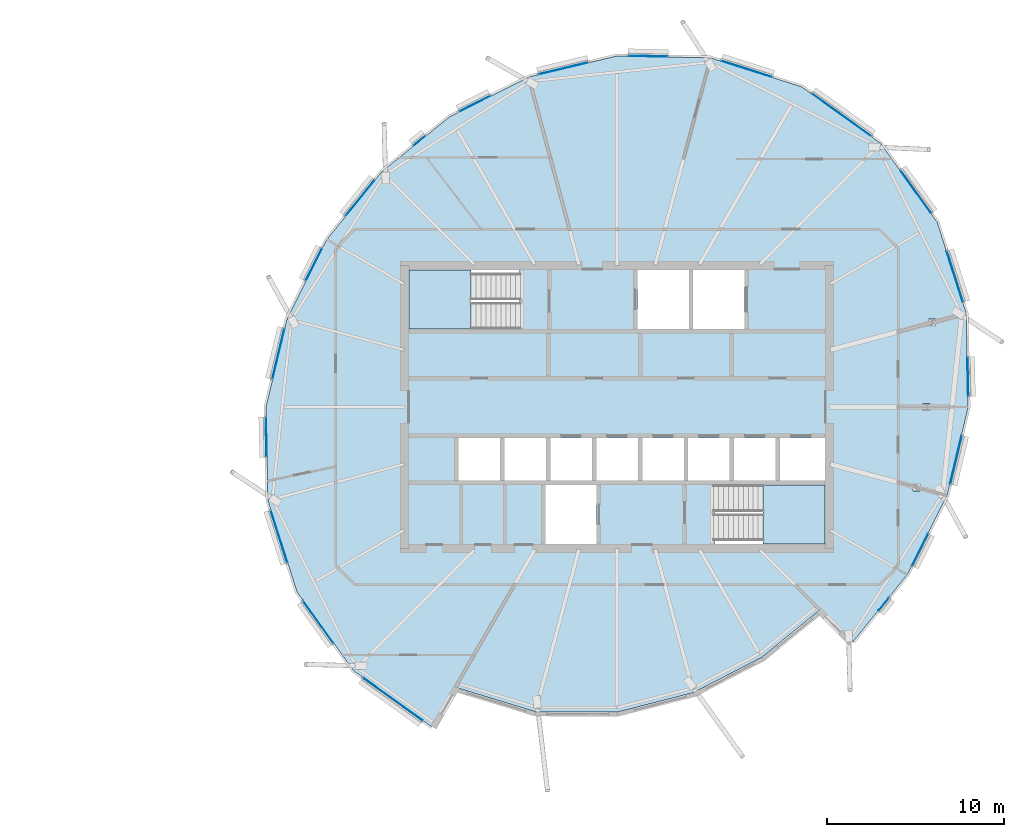
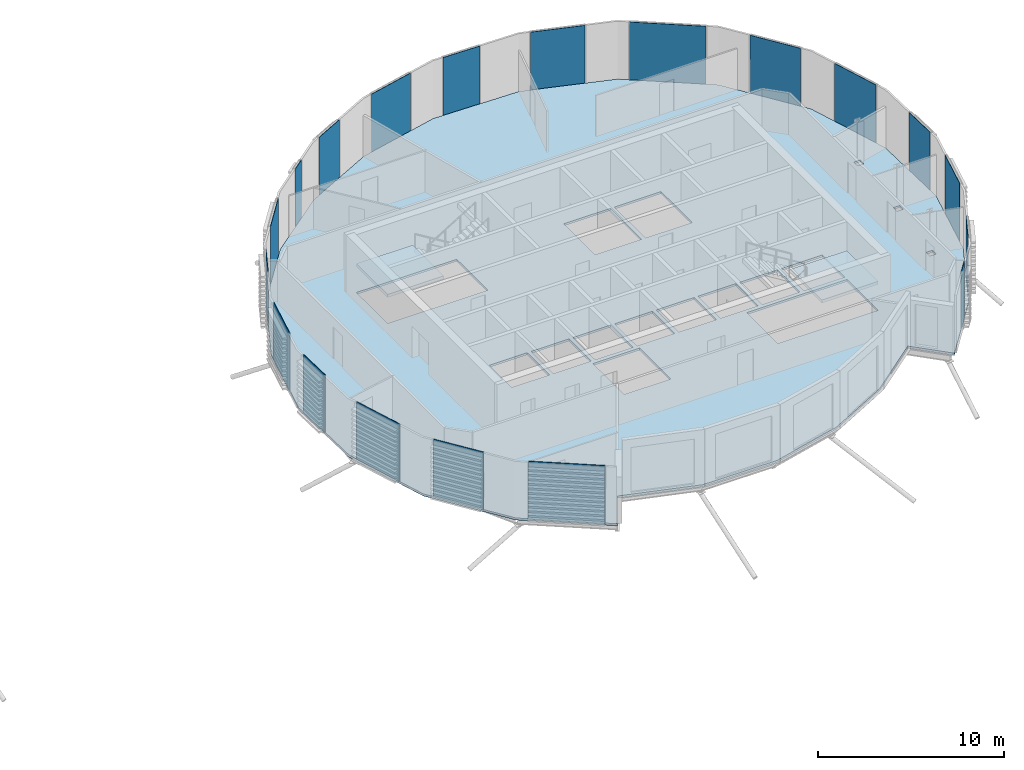
# One storey, part 19 of 41: 19 plates, 3 slabs, 3 elements without a shape of their own.
"""IFC4 building model written with IfcOpenShell, lengths in metres."""

from ifc_helpers import new_model, si_unit, direction, frame, origin, origin_2d, place, context, subcontext, project, spatial, polyline, rectangle, outline, extrude, material, layer, layer_set, type_object, element, aggregate, save


model = new_model("IFC4")

# Units and contexts
model_context = context("Model", 3, precision=1e-05, world=origin(), true_north=direction((0.0, 1.0)))
body_context = subcontext(model_context, "Body", "Model", "MODEL_VIEW")
ifc_project = project(units=[si_unit("LENGTHUNIT", "METRE"), si_unit("AREAUNIT", "SQUARE_METRE"), si_unit("VOLUMEUNIT", "CUBIC_METRE"), si_unit("PLANEANGLEUNIT", "RADIAN"), si_unit("MASSUNIT", "GRAM", prefix="KILO")], contexts=[model_context])

# Site, building, storey
site_placement = place(None, origin())
site = spatial("IfcSite", under=ifc_project, at=site_placement, CompositionType="ELEMENT")
building_placement = place(site_placement, origin())
building = spatial("IfcBuilding", under=site, at=building_placement, Name="Rimbun Link Towers", CompositionType="ELEMENT")
storey_placement = place(building_placement, frame((0.0, 0.0, 214.300048828125)))
storey = spatial("IfcBuildingStorey", under=building, at=storey_placement, Name="L52", CompositionType="ELEMENT", Elevation=214.300048828125)

# Slab
ifc_material_1 = material(Name="Concrete C35/45", Category="concrete")
ifc_layer_1 = layer(ifc_material_1, 0.139892578125)
ifc_layer_set_1 = layer_set([ifc_layer_1], Name="COMPOSITE FLOOR 140")
slab_type_1 = type_object("IfcSlabType", Name="COMPOSITE FLOOR 140", PredefinedType="FLOOR", material=ifc_layer_set_1)
slab_1_placement = place(storey_placement, frame((0.0, 0.0, -0.14013671875)))
element("IfcSlab", 1, at=slab_1_placement, inside=storey, type_object=slab_type_1, Name="Floor slab T2 L52", PredefinedType="FLOOR", context=body_context, shape_type="SweptSolid", body=[
    extrude(outline(polyline([(16.858154296875, -14.891845703125), (13.664794921875, -10.44140625), (12.02490234375, -5.285400390625), (11.913818359375, 0.0), (13.1083984375, 4.9951171875), (15.353759765625, 9.46630859375), (18.453857421875, 13.296142578125), (22.28369140625, 16.396240234375), (26.7548828125, 18.6416015625), (31.75, 19.836181640625), (37.035400390625, 19.72509765625), (42.19140625, 18.085205078125), (46.641845703125, 14.891845703125), (49.835205078125, 10.44140625), (51.47509765625, 5.285400390625), (51.586181640625, 0.0), (50.3916015625, -4.9951171875), (48.146240234375, -9.46630859375), (45.046142578125, -13.296142578125), (43.207763671875, -11.457763671875), (39.91650390625, -14.14453125), (36.072021484375, -16.13037109375), (31.75, -17.236328125), (27.1376953125, -17.213623046875), (22.6083984375, -15.83349609375), (21.30859375, -18.085205078125), (16.858154296875, -14.891845703125)]), holes=[polyline([(30.60009765625, -7.75), (30.60009765625, -4.39990234375), (27.699951171875, -4.39990234375), (27.699951171875, -7.75), (30.60009765625, -7.75)]), polyline([(25.138916015625, -4.14990234375), (25.138916015625, -1.75), (22.79443359375, -1.75), (22.79443359375, -4.14990234375), (25.138916015625, -4.14990234375)]), polyline([(27.7333984375, -4.14990234375), (27.7333984375, -1.75), (25.388916015625, -1.75), (25.388916015625, -4.14990234375), (27.7333984375, -4.14990234375)]), polyline([(30.327880859375, -4.14990234375), (30.327880859375, -1.75), (27.9833984375, -1.75), (27.9833984375, -4.14990234375), (30.327880859375, -4.14990234375)]), polyline([(32.922119140625, -4.14990234375), (32.922119140625, -1.75), (30.577880859375, -1.75), (30.577880859375, -4.14990234375), (32.922119140625, -4.14990234375)]), polyline([(35.5166015625, -4.14990234375), (35.5166015625, -1.75), (33.172119140625, -1.75), (33.172119140625, -4.14990234375), (35.5166015625, -4.14990234375)]), polyline([(26.239990234375, 4.39990234375), (26.239990234375, 7.75), (20.0, 7.75), (20.0, 4.39990234375), (26.239990234375, 4.39990234375)]), polyline([(35.800048828125, 4.39990234375), (35.800048828125, 7.75), (32.89990234375, 7.75), (32.89990234375, 4.39990234375), (35.800048828125, 4.39990234375)]), polyline([(43.5, -7.75), (43.5, -4.39990234375), (37.260009765625, -4.39990234375), (37.260009765625, -7.75), (43.5, -7.75)]), polyline([(48.868408203125, -4.730224609375), (48.868408203125, -4.336669921875), (48.469482421875, -4.336669921875), (48.469482421875, -4.730224609375), (48.868408203125, -4.730224609375)]), polyline([(38.111083984375, -4.14990234375), (38.111083984375, -1.75), (35.7666015625, -1.75), (35.7666015625, -4.14990234375), (38.111083984375, -4.14990234375)]), polyline([(40.70556640625, -4.14990234375), (40.70556640625, -1.75), (38.361083984375, -1.75), (38.361083984375, -4.14990234375), (40.70556640625, -4.14990234375)]), polyline([(43.5, -4.14990234375), (43.5, -1.75), (40.95556640625, -1.75), (40.95556640625, -4.14990234375), (43.5, -4.14990234375)]), polyline([(49.439208984375, -0.19677734375), (49.439208984375, 0.19677734375), (49.040283203125, 0.19677734375), (49.040283203125, -0.19677734375), (49.439208984375, -0.19677734375)]), polyline([(49.7333984375, 4.568359375), (49.7333984375, 4.9619140625), (49.334228515625, 4.9619140625), (49.334228515625, 4.568359375), (49.7333984375, 4.568359375)]), polyline([(38.949951171875, 4.39990234375), (38.949951171875, 7.75), (36.050048828125, 7.75), (36.050048828125, 4.39990234375), (38.949951171875, 4.39990234375)])]), origin(), (0.0, 0.0, 1.0), 0.14013671875),
])

# Curtain wall, plates
ifc_material_2 = material(Name="Aluminium 6063-T6 and low-iron glass", Category="aluminium")
curtain_wall_type = type_object("IfcCurtainWallType", Name="CW1-Z4 unitised vision wall (zone 4)", PredefinedType="NOTDEFINED", material=ifc_material_2)
curtain_wall_placement = place(storey_placement, origin())
curtain_wall = element("IfcCurtainWall", 2, at=curtain_wall_placement, inside=storey, type_object=curtain_wall_type, Name="CW1 L52 T2", PredefinedType="NOTDEFINED")
ifc_material_3 = material(Name="Low-iron glass, laminated low-e unit", Category="glass")
ifc_layer_2 = layer(ifc_material_3, 0.028076171875)
ifc_layer_set_2 = layer_set([ifc_layer_2], Name="CW1 panel Low-iron glass 28")
plate_type = type_object("IfcPlateType", Name="CW1 panel Low-iron glass 28", PredefinedType="CURTAIN_PANEL", material=ifc_layer_set_2)
plate_1_placement = place(storey_placement, frame((44.4248046875, 16.499755859375, 0.0), z_axis=(0.0, 0.0, 1.0), x_axis=(0.812469633551, -0.583003511617, 0.0)))
plate_1 = element("IfcPlate", 3, at=plate_1_placement, type_object=plate_type, Name="CW1 panel", PredefinedType="CURTAIN_PANEL", context=body_context, shape_type="SweptSolid", body=[
    extrude(rectangle(XDim=4.137451171875, YDim=0.028076171875, at=origin_2d()), origin(), (0.0, 0.0, 1.0), 3.800048828125),
])
plate_2_placement = place(storey_placement, frame((39.069580078125, 19.0927734375, 0.0), z_axis=(0.0, 0.0, 1.0), x_axis=(0.952968975919, -0.30306786523, 0.0)))
plate_2 = element("IfcPlate", 4, at=plate_2_placement, type_object=plate_type, Name="CW1 panel", PredefinedType="CURTAIN_PANEL", context=body_context, shape_type="SweptSolid", body=[
    extrude(rectangle(XDim=3.020751953125, YDim=0.028076171875, at=origin_2d()), origin(), (0.0, 0.0, 1.0), 3.800048828125),
])
plate_3_placement = place(storey_placement, frame((33.4931640625, 19.8134765625, 0.0), z_axis=(0.0, 0.0, 1.0), x_axis=(0.999778345459, -0.021053739591, 0.0)))
plate_3 = element("IfcPlate", 5, at=plate_3_placement, type_object=plate_type, Name="CW1 panel", PredefinedType="CURTAIN_PANEL", context=body_context, shape_type="SweptSolid", body=[
    extrude(rectangle(XDim=2.24658203125, YDim=0.028076171875, at=origin_2d()), origin(), (0.0, 0.0, 1.0), 3.800048828125),
])
plate_4_placement = place(storey_placement, frame((28.71435546875, 19.124755859375, 0.0), z_axis=(0.0, 0.0, 1.0), x_axis=(0.972572572168, 0.232599638579, 0.0)))
plate_4 = element("IfcPlate", 6, at=plate_4_placement, type_object=plate_type, Name="CW1 panel", PredefinedType="CURTAIN_PANEL", context=body_context, shape_type="SweptSolid", body=[
    extrude(rectangle(XDim=2.895751953125, YDim=0.028076171875, at=origin_2d()), origin(), (0.0, 0.0, 1.0), 3.800048828125),
])
plate_5_placement = place(storey_placement, frame((23.708740234375, 17.127685546875, 0.0), z_axis=(0.0, 0.0, 1.0), x_axis=(0.893650392723, 0.448763830524, 0.0)))
plate_5 = element("IfcPlate", 7, at=plate_5_placement, type_object=plate_type, Name="CW1 panel", PredefinedType="CURTAIN_PANEL", context=body_context, shape_type="SweptSolid", body=[
    extrude(rectangle(XDim=1.963623046875, YDim=0.028076171875, at=origin_2d()), origin(), (0.0, 0.0, 1.0), 3.800048828125),
])
plate_6_placement = place(storey_placement, frame((20.593017578125, 15.0458984375, 0.0), z_axis=(0.0, 0.0, 1.0), x_axis=(0.777266138538, 0.629171955734, 0.0)))
plate_6 = element("IfcPlate", 8, at=plate_6_placement, type_object=plate_type, Name="CW1 panel", PredefinedType="CURTAIN_PANEL", context=body_context, shape_type="SweptSolid", body=[
    extrude(rectangle(XDim=0.88720703125, YDim=0.028076171875, at=origin_2d()), origin(), (0.0, 0.0, 1.0), 3.800048828125),
])
plate_7_placement = place(storey_placement, frame((17.22314453125, 11.798095703125, 0.0), z_axis=(0.0, 0.0, 1.0), x_axis=(0.629171955734, 0.777266138538, 0.0)))
plate_7 = element("IfcPlate", 9, at=plate_7_placement, type_object=plate_type, Name="CW1 panel", PredefinedType="CURTAIN_PANEL", context=body_context, shape_type="SweptSolid", body=[
    extrude(rectangle(XDim=2.63720703125, YDim=0.028076171875, at=origin_2d()), origin(), (0.0, 0.0, 1.0), 3.800048828125),
])
plate_8_placement = place(storey_placement, frame((14.622314453125, 8.041259765625, 0.0), z_axis=(0.0, 0.0, 1.0), x_axis=(0.448763830524, 0.893650392723, 0.0)))
plate_8 = element("IfcPlate", 10, at=plate_8_placement, type_object=plate_type, Name="CW1 panel", PredefinedType="CURTAIN_PANEL", context=body_context, shape_type="SweptSolid", body=[
    extrude(rectangle(XDim=2.0634765625, YDim=0.028076171875, at=origin_2d()), origin(), (0.0, 0.0, 1.0), 3.800048828125),
])
plate_9_placement = place(storey_placement, frame((12.619384765625, 3.011474609375, 0.0), z_axis=(0.0, 0.0, 1.0), x_axis=(0.232599638579, 0.972572572168, 0.0)))
plate_9 = element("IfcPlate", 11, at=plate_9_placement, type_object=plate_type, Name="CW1 panel", PredefinedType="CURTAIN_PANEL", context=body_context, shape_type="SweptSolid", body=[
    extrude(rectangle(XDim=2.94580078125, YDim=0.028076171875, at=origin_2d()), origin(), (0.0, 0.0, 1.0), 3.800048828125),
])
plate_10_placement = place(storey_placement, frame((11.935302734375, -1.693115234375, 0.0), z_axis=(0.0, 0.0, 1.0), x_axis=(-0.021053739591, 0.999778345459, 0.0)))
plate_10 = element("IfcPlate", 12, at=plate_10_placement, type_object=plate_type, Name="CW1 panel", PredefinedType="CURTAIN_PANEL", context=body_context, shape_type="SweptSolid", body=[
    extrude(rectangle(XDim=2.24658203125, YDim=0.028076171875, at=origin_2d()), origin(), (0.0, 0.0, 1.0), 3.800048828125),
])
plate_11_placement = place(storey_placement, frame((12.6572265625, -7.319580078125, 0.0), z_axis=(0.0, 0.0, 1.0), x_axis=(-0.30306786523, 0.952968975919, 0.0)))
plate_11 = element("IfcPlate", 13, at=plate_11_placement, type_object=plate_type, Name="CW1 panel", PredefinedType="CURTAIN_PANEL", context=body_context, shape_type="SweptSolid", body=[
    extrude(rectangle(XDim=3.12060546875, YDim=0.028076171875, at=origin_2d()), origin(), (0.0, 0.0, 1.0), 3.800048828125),
])
plate_12_placement = place(storey_placement, frame((14.87109375, -12.146728515625, 0.0), z_axis=(0.0, 0.0, 1.0), x_axis=(-0.583003511617, 0.812469633551, 0.0)))
plate_12 = element("IfcPlate", 14, at=plate_12_placement, type_object=plate_type, Name="CW1 panel", PredefinedType="CURTAIN_PANEL", context=body_context, shape_type="SweptSolid", body=[
    extrude(rectangle(XDim=2.9375, YDim=0.028076171875, at=origin_2d()), origin(), (0.0, 0.0, 1.0), 3.800048828125),
])
plate_13_placement = place(storey_placement, frame((19.0751953125, -16.499755859375, 0.0), z_axis=(0.0, 0.0, 1.0), x_axis=(-0.812469633551, 0.583003511617, 0.0)))
plate_13 = element("IfcPlate", 15, at=plate_13_placement, type_object=plate_type, Name="CW1 panel", PredefinedType="CURTAIN_PANEL", context=body_context, shape_type="SweptSolid", body=[
    extrude(rectangle(XDim=4.137451171875, YDim=0.028076171875, at=origin_2d()), origin(), (0.0, 0.0, 1.0), 3.800048828125),
])
plate_14_placement = place(storey_placement, frame((46.8115234375, -11.137451171875, 0.0), z_axis=(0.0, 0.0, 1.0), x_axis=(-0.629171955734, -0.777266138538, 0.0)))
plate_14 = element("IfcPlate", 16, at=plate_14_placement, type_object=plate_type, Name="CW1 panel", PredefinedType="CURTAIN_PANEL", context=body_context, shape_type="SweptSolid", body=[
    extrude(rectangle(XDim=0.937255859375, YDim=0.028076171875, at=origin_2d()), origin(), (0.0, 0.0, 1.0), 3.800048828125),
])
plate_15_placement = place(storey_placement, frame((48.866455078125, -8.063720703125, 0.0), z_axis=(0.0, 0.0, 1.0), x_axis=(-0.448763830524, -0.893650392723, 0.0)))
plate_15 = element("IfcPlate", 17, at=plate_15_placement, type_object=plate_type, Name="CW1 panel", PredefinedType="CURTAIN_PANEL", context=body_context, shape_type="SweptSolid", body=[
    extrude(rectangle(XDim=2.013427734375, YDim=0.028076171875, at=origin_2d()), origin(), (0.0, 0.0, 1.0), 3.800048828125),
])
plate_16_placement = place(storey_placement, frame((50.88623046875, -2.987060546875, 0.0), z_axis=(0.0, 0.0, 1.0), x_axis=(-0.232599638579, -0.972572572168, 0.0)))
plate_16 = element("IfcPlate", 18, at=plate_16_placement, type_object=plate_type, Name="CW1 panel", PredefinedType="CURTAIN_PANEL", context=body_context, shape_type="SweptSolid", body=[
    extrude(rectangle(XDim=2.7958984375, YDim=0.028076171875, at=origin_2d()), origin(), (0.0, 0.0, 1.0), 3.800048828125),
])
plate_17_placement = place(storey_placement, frame((51.564208984375, 1.71826171875, 0.0), z_axis=(0.0, 0.0, 1.0), x_axis=(0.021053739591, -0.999778345459, 0.0)))
plate_17 = element("IfcPlate", 19, at=plate_17_placement, type_object=plate_type, Name="CW1 panel", PredefinedType="CURTAIN_PANEL", context=body_context, shape_type="SweptSolid", body=[
    extrude(rectangle(XDim=2.196533203125, YDim=0.028076171875, at=origin_2d()), origin(), (0.0, 0.0, 1.0), 3.800048828125),
])
plate_18_placement = place(storey_placement, frame((50.82763671875, 7.367431640625, 0.0), z_axis=(0.0, 0.0, 1.0), x_axis=(0.30306786523, -0.952968975919, 0.0)))
plate_18 = element("IfcPlate", 20, at=plate_18_placement, type_object=plate_type, Name="CW1 panel", PredefinedType="CURTAIN_PANEL", context=body_context, shape_type="SweptSolid", body=[
    extrude(rectangle(XDim=3.020751953125, YDim=0.028076171875, at=origin_2d()), origin(), (0.0, 0.0, 1.0), 3.800048828125),
])
plate_19_placement = place(storey_placement, frame((48.6142578125, 12.1669921875, 0.0), z_axis=(0.0, 0.0, 1.0), x_axis=(0.583003511617, -0.812469633551, 0.0)))
plate_19 = element("IfcPlate", 21, at=plate_19_placement, type_object=plate_type, Name="CW1 panel", PredefinedType="CURTAIN_PANEL", context=body_context, shape_type="SweptSolid", body=[
    extrude(rectangle(XDim=2.987548828125, YDim=0.028076171875, at=origin_2d()), origin(), (0.0, 0.0, 1.0), 3.800048828125),
])
aggregate(curtain_wall, [plate_1, plate_2, plate_3, plate_4, plate_5, plate_6, plate_7, plate_8, plate_9, plate_10, plate_11, plate_12, plate_13, plate_14, plate_15, plate_16, plate_17, plate_18, plate_19])

# Stair, slab
ifc_material_4 = material(Name="Concrete C40/50", Category="concrete")
stair_type = type_object("IfcStairType", Name="Exit stair 3800 rise", PredefinedType="HALF_TURN_STAIR", material=ifc_material_4)
stair_1_placement = place(storey_placement, origin())
stair_1 = element("IfcStair", 22, at=stair_1_placement, inside=storey, type_object=stair_type, Name="L52 EXIT STAIR A", PredefinedType="HALF_TURN_STAIR")
ifc_material_5 = material(Name="Concrete C40/50", Category="concrete")
ifc_layer_3 = layer(ifc_material_5, 0.199951171875)
ifc_layer_set_3 = layer_set([ifc_layer_3], Name="Stair landing")
slab_type_2 = type_object("IfcSlabType", Name="Stair landing", PredefinedType="LANDING", material=ifc_layer_set_3)
slab_2_placement = place(storey_placement, frame((0.0, 0.0, 1.699951171875)))
slab_2 = element("IfcSlab", 23, at=slab_2_placement, type_object=slab_type_2, Name="ST3 landing 1", PredefinedType="LANDING", context=body_context, shape_type="SweptSolid", body=[
    extrude(outline(polyline([(23.5, 7.75), (20.0, 7.75), (20.0, 4.39990234375), (23.5, 4.39990234375), (23.5, 7.75)])), origin(), (0.0, 0.0, 1.0), 0.199951171875),
])
aggregate(stair_1, [slab_2])

stair_2_placement = place(storey_placement, origin())
stair_2 = element("IfcStair", 24, at=stair_2_placement, inside=storey, type_object=stair_type, Name="L52 EXIT STAIR B", PredefinedType="HALF_TURN_STAIR")
slab_3_placement = place(storey_placement, frame((0.0, 0.0, 1.699951171875)))
slab_3 = element("IfcSlab", 25, at=slab_3_placement, type_object=slab_type_2, Name="ST4 landing 1", PredefinedType="LANDING", context=body_context, shape_type="SweptSolid", body=[
    extrude(outline(polyline([(40.0, -7.75), (43.5, -7.75), (43.5, -4.39990234375), (40.0, -4.39990234375), (40.0, -7.75)])), origin(), (0.0, 0.0, 1.0), 0.199951171875),
])
aggregate(stair_2, [slab_3])

save(model, "model.ifc")
